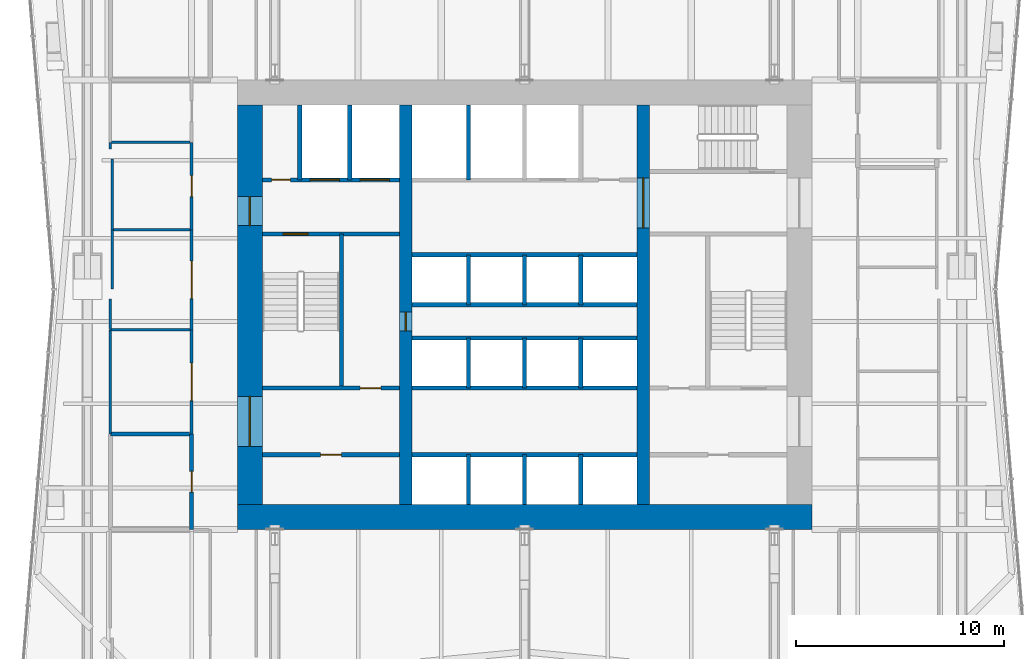
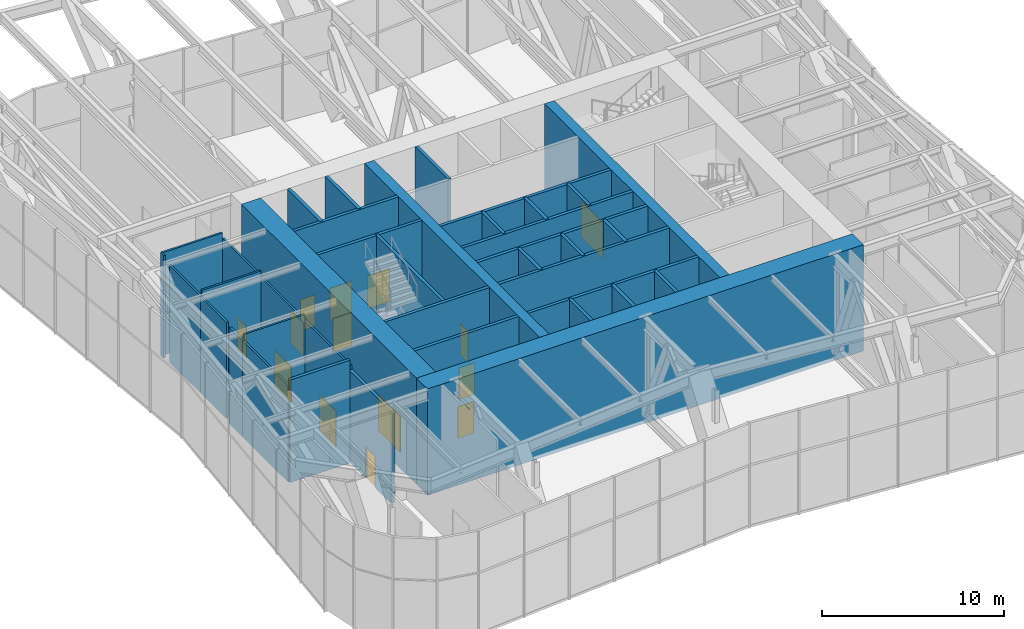
# One storey, part 12 of 17: 39 walls, 14 doors, 14 openings.
"""IFC4 building model written with IfcOpenShell, lengths in metres."""

from ifc_helpers import new_model, si_unit, direction, frame, frame_2d, origin, place, context, subcontext, project, spatial, rectangle, extrude, material, layer, layer_set, type_object, element, fill, save


model = new_model("IFC4")

# Units and contexts
model_context = context("Model", 3, precision=1e-05, world=origin(), true_north=direction((0.0, 1.0)))
body_context = subcontext(model_context, "Body", "Model", "MODEL_VIEW")
ifc_project = project(units=[si_unit("LENGTHUNIT", "METRE"), si_unit("AREAUNIT", "SQUARE_METRE"), si_unit("VOLUMEUNIT", "CUBIC_METRE"), si_unit("PLANEANGLEUNIT", "RADIAN"), si_unit("MASSUNIT", "GRAM", prefix="KILO")], contexts=[model_context])

# Site, building, storey
site_placement = place(None, origin())
site = spatial("IfcSite", under=ifc_project, at=site_placement, CompositionType="ELEMENT")
building_placement = place(site_placement, origin())
building = spatial("IfcBuilding", under=site, at=building_placement, Name="Verdant Reach Tower", CompositionType="ELEMENT")
storey_placement = place(building_placement, frame((0.0, 0.0, 114.0)))
storey = spatial("IfcBuildingStorey", under=building, at=storey_placement, Name="L26 Plant", CompositionType="ELEMENT", Elevation=114.0)

# Wall, opening, door
ifc_material_1 = material(Name="Gypsum board on steel studs", Category="steel")
ifc_layer_1 = layer(ifc_material_1, 0.199951171875)
ifc_layer_set_1 = layer_set([ifc_layer_1], Name="CO-WALL-ROOM")
wall_type_1 = type_object("IfcWallType", Name="CO-WALL-ROOM", PredefinedType="PARTITIONING", material=ifc_layer_set_1)
wall_1_placement = place(storey_placement, frame((-12.60009765625, 20.800048828125, 0.0), z_axis=(0.0, 0.0, 1.0), x_axis=(1.0, 0.0, 0.0)))
wall_1 = element("IfcWall", 1, at=wall_1_placement, inside=storey, type_object=wall_type_1, Name="Core partition, L26 Plant", PredefinedType="PARTITIONING", context=body_context, shape_type="SweptSolid", body=[
    extrude(rectangle(XDim=6.60009765625, YDim=0.199951171875, at=frame_2d((3.300048828125, 0.0))), origin(), (0.0, 0.0, 1.0), 6.8701171875),
])
opening_1_placement = place(wall_1_placement, frame((2.800048828125, 0.0, 0.0)))
opening_1 = element("IfcOpeningElement", 2, at=opening_1_placement, cuts=wall_1, Name="Opening CD", PredefinedType="OPENING", context=body_context, shape_type="SweptSolid", body=[
    extrude(rectangle(XDim=1.0, YDim=2.10009765625, at=frame_2d((0.5, 1.050048828125))), frame((0.0, 0.10986328125, 0.0), z_axis=(0.0, -1.0, 0.0), x_axis=(1.0, 0.0, 0.0)), (0.0, 0.0, 1.0), 0.219970703125),
])
ifc_material_2 = material(Name="Timber", Category="wood")
door_type_1 = type_object("IfcDoorType", Name="CO-DOOR-ROOM", OperationType="NOTDEFINED", PredefinedType="DOOR", material=ifc_material_2)
door_1_placement = place(opening_1_placement, origin())
door_1 = element("IfcDoor", 3, at=door_1_placement, inside=storey, type_object=door_type_1, Name="Core room door, L26 Plant", OperationType="SINGLE_SWING_LEFT", OverallHeight=2.10009765625, OverallWidth=1.0, PredefinedType="DOOR", context=body_context, shape_type="SweptSolid", body=[
    extrude(rectangle(XDim=1.0, YDim=2.10009765625, at=frame_2d((0.5, 1.050048828125))), frame((0.0, 0.02490234375, 0.0), z_axis=(0.0, -1.0, 0.0), x_axis=(1.0, 0.0, 0.0)), (0.0, 0.0, 1.0), 0.050048828125),
])
fill(opening_1, door_1)

# Walls
ifc_material_3 = material(Name="Concrete C40/50", Category="concrete")
ifc_layer_2 = layer(ifc_material_3, 0.199951171875)
ifc_layer_set_2 = layer_set([ifc_layer_2], Name="CO-WALL-SHAFT")
wall_type_2 = type_object("IfcWallType", Name="CO-WALL-SHAFT", PredefinedType="PARTITIONING", material=ifc_layer_set_2)
for number, where, z_axis, x_axis, name in (
    (4, (-5.39990234375, 20.800048828125, 0.0), (0.0, 0.0, 1.0), (1.0, 0.0, 0.0), "Lift shaft wall, L26 Plant"),
    (5, (-5.39990234375, 24.0, 0.0), (0.0, 0.0, 1.0), (1.0, 0.0, 0.0), "Lift shaft wall, L26 Plant"),
    (6, (-5.39990234375, 26.39990234375, 0.0), (0.0, 0.0, 1.0), (1.0, 0.0, 0.0), "Lift shaft wall, L26 Plant"),
    (7, (-5.39990234375, 28.0, 0.0), (0.0, 0.0, 1.0), (1.0, 0.0, 0.0), "Lift shaft wall, L26 Plant"),
    (8, (-5.39990234375, 30.39990234375, 0.0), (0.0, 0.0, 1.0), (1.0, 0.0, 0.0), "Lift shaft wall, L26 Plant"),
):
    element("IfcWall", number, at=place(storey_placement, frame(where, z_axis=z_axis, x_axis=x_axis)), inside=storey, type_object=wall_type_2, Name=name, PredefinedType="PARTITIONING", context=body_context, shape_type="SweptSolid", body=[
        extrude(rectangle(XDim=10.7998046875, YDim=0.199951171875, at=frame_2d((5.39990234375, 0.0))), origin(), (0.0, 0.0, 1.0), 6.8701171875),
    ])

# Wall, openings, doors
wall_2_placement = place(storey_placement, frame((-12.60009765625, 34.0, 0.0), z_axis=(0.0, 0.0, 1.0), x_axis=(1.0, 0.0, 0.0)))
wall_2 = element("IfcWall", 9, at=wall_2_placement, inside=storey, type_object=wall_type_2, Name="Lift shaft wall, L26 Plant", PredefinedType="PARTITIONING", context=body_context, shape_type="SweptSolid", body=[
    extrude(rectangle(XDim=6.60009765625, YDim=0.199951171875, at=frame_2d((3.300048828125, 0.0))), origin(), (0.0, 0.0, 1.0), 6.8701171875),
])
opening_2_placement = place(wall_2_placement, frame((4.699951171875, 0.0, 0.0)))
opening_2 = element("IfcOpeningElement", 10, at=opening_2_placement, cuts=wall_2, Name="Opening LD-F1", PredefinedType="OPENING", context=body_context, shape_type="SweptSolid", body=[
    extrude(rectangle(XDim=1.39990234375, YDim=2.199951171875, at=frame_2d((0.699951171875, 1.10009765625))), frame((0.0, 0.10986328125, 0.0), z_axis=(0.0, -1.0, 0.0), x_axis=(1.0, 0.0, 0.0)), (0.0, 0.0, 1.0), 0.219970703125),
])
opening_3_placement = place(wall_2_placement, frame((2.300048828125, 0.0, 0.0)))
opening_3 = element("IfcOpeningElement", 11, at=opening_3_placement, cuts=wall_2, Name="Opening LD-F2", PredefinedType="OPENING", context=body_context, shape_type="SweptSolid", body=[
    extrude(rectangle(XDim=1.39990234375, YDim=2.199951171875, at=frame_2d((0.699951171875, 1.10009765625))), frame((0.0, 0.10986328125, 0.0), z_axis=(0.0, -1.0, 0.0), x_axis=(1.0, 0.0, 0.0)), (0.0, 0.0, 1.0), 0.219970703125),
])
opening_4_placement = place(wall_2_placement, frame((0.449951171875, 0.0, 0.0)))
opening_4 = element("IfcOpeningElement", 12, at=opening_4_placement, cuts=wall_2, Name="Opening RD", PredefinedType="OPENING", context=body_context, shape_type="SweptSolid", body=[
    extrude(rectangle(XDim=0.89990234375, YDim=2.10009765625, at=frame_2d((0.449951171875, 1.050048828125))), frame((0.0, 0.10986328125, 0.0), z_axis=(0.0, -1.0, 0.0), x_axis=(1.0, 0.0, 0.0)), (0.0, 0.0, 1.0), 0.219970703125),
])
ifc_material_4 = material(Name="Stainless steel", Category="steel")
door_type_2 = type_object("IfcDoorType", Name="CO-DOOR-LANDING-FF", OperationType="SLIDING_TO_LEFT", PredefinedType="DOOR", material=ifc_material_4)
door_2_placement = place(opening_2_placement, origin())
door_2 = element("IfcDoor", 13, at=door_2_placement, inside=storey, type_object=door_type_2, Name="Landing door F1, L26 Plant", OperationType="SLIDING_TO_LEFT", OverallHeight=2.199951171875, OverallWidth=1.39990234375, PredefinedType="DOOR", context=body_context, shape_type="SweptSolid", body=[
    extrude(rectangle(XDim=1.39990234375, YDim=2.199951171875, at=frame_2d((0.699951171875, 1.10009765625))), frame((0.0, 0.02490234375, 0.0), z_axis=(0.0, -1.0, 0.0), x_axis=(1.0, 0.0, 0.0)), (0.0, 0.0, 1.0), 0.050048828125),
])
fill(opening_2, door_2)
door_3_placement = place(opening_3_placement, origin())
door_3 = element("IfcDoor", 14, at=door_3_placement, inside=storey, type_object=door_type_2, Name="Landing door F2, L26 Plant", OperationType="SLIDING_TO_LEFT", OverallHeight=2.199951171875, OverallWidth=1.39990234375, PredefinedType="DOOR", context=body_context, shape_type="SweptSolid", body=[
    extrude(rectangle(XDim=1.39990234375, YDim=2.199951171875, at=frame_2d((0.699951171875, 1.10009765625))), frame((0.0, 0.02490234375, 0.0), z_axis=(0.0, -1.0, 0.0), x_axis=(1.0, 0.0, 0.0)), (0.0, 0.0, 1.0), 0.050048828125),
])
fill(opening_3, door_3)
ifc_material_5 = material(Name="Steel", Category="steel")
door_type_3 = type_object("IfcDoorType", Name="CO-DOOR-RISER", OperationType="NOTDEFINED", PredefinedType="DOOR", material=ifc_material_5)
door_4_placement = place(opening_4_placement, origin())
door_4 = element("IfcDoor", 15, at=door_4_placement, inside=storey, type_object=door_type_3, Name="Core room door, L26 Plant", OperationType="SINGLE_SWING_RIGHT", OverallHeight=2.10009765625, OverallWidth=0.89990234375, PredefinedType="DOOR", context=body_context, shape_type="SweptSolid", body=[
    extrude(rectangle(XDim=0.89990234375, YDim=2.10009765625, at=frame_2d((0.449951171875, 1.050048828125))), frame((0.0, 0.02490234375, 0.0), z_axis=(0.0, -1.0, 0.0), x_axis=(1.0, 0.0, 0.0)), (0.0, 0.0, 1.0), 0.050048828125),
])
fill(opening_4, door_4)

# Walls
for number, where, z_axis, x_axis, name in (
    (16, (-10.800048828125, 34.0, 0.0), (0.0, 0.0, 1.0), (0.0, 1.0, 0.0), "Lift shaft wall, L26 Plant"),
    (17, (-8.39990234375, 34.0, 0.0), (0.0, 0.0, 1.0), (0.0, 1.0, 0.0), "Lift shaft wall, L26 Plant"),
):
    element("IfcWall", number, at=place(storey_placement, frame(where, z_axis=z_axis, x_axis=x_axis)), inside=storey, type_object=wall_type_2, Name=name, PredefinedType="PARTITIONING", context=body_context, shape_type="SweptSolid", body=[
        extrude(rectangle(XDim=3.60009765625, YDim=0.199951171875, at=frame_2d((1.800048828125, 0.0))), origin(), (0.0, 0.0, 1.0), 6.8701171875),
    ])
wall_3_placement = place(storey_placement, frame((-2.699951171875, 18.39990234375, 0.0), z_axis=(0.0, 0.0, 1.0), x_axis=(0.0, 1.0, 0.0)))
element("IfcWall", 18, at=wall_3_placement, inside=storey, type_object=wall_type_2, Name="Lift shaft wall, L26 Plant", PredefinedType="PARTITIONING", context=body_context, shape_type="SweptSolid", body=[
    extrude(rectangle(XDim=2.400146484375, YDim=0.199951171875, at=frame_2d((1.2001953125, 0.0))), origin(), (0.0, 0.0, 1.0), 6.8701171875),
])
for number, where, z_axis, x_axis, name in (
    (19, (-2.699951171875, 24.0, 0.0), (0.0, 0.0, 1.0), (0.0, 1.0, 0.0), "Lift shaft wall, L26 Plant"),
    (20, (-2.699951171875, 28.0, 0.0), (0.0, 0.0, 1.0), (0.0, 1.0, 0.0), "Lift shaft wall, L26 Plant"),
):
    element("IfcWall", number, at=place(storey_placement, frame(where, z_axis=z_axis, x_axis=x_axis)), inside=storey, type_object=wall_type_2, Name=name, PredefinedType="PARTITIONING", context=body_context, shape_type="SweptSolid", body=[
        extrude(rectangle(XDim=2.39990234375, YDim=0.199951171875, at=frame_2d((1.199951171875, 0.0))), origin(), (0.0, 0.0, 1.0), 6.8701171875),
    ])
wall_4_placement = place(storey_placement, frame((-2.699951171875, 34.0, 0.0), z_axis=(0.0, 0.0, 1.0), x_axis=(0.0, 1.0, 0.0)))
element("IfcWall", 21, at=wall_4_placement, inside=storey, type_object=wall_type_2, Name="Lift shaft wall, L26 Plant", PredefinedType="PARTITIONING", context=body_context, shape_type="SweptSolid", body=[
    extrude(rectangle(XDim=3.60009765625, YDim=0.199951171875, at=frame_2d((1.800048828125, 0.0))), origin(), (0.0, 0.0, 1.0), 6.8701171875),
])
wall_5_placement = place(storey_placement, frame((0.0, 18.39990234375, 0.0), z_axis=(0.0, 0.0, 1.0), x_axis=(0.0, 1.0, 0.0)))
element("IfcWall", 22, at=wall_5_placement, inside=storey, type_object=wall_type_2, Name="Lift shaft wall, L26 Plant", PredefinedType="PARTITIONING", context=body_context, shape_type="SweptSolid", body=[
    extrude(rectangle(XDim=2.400146484375, YDim=0.199951171875, at=frame_2d((1.2001953125, 0.0))), origin(), (0.0, 0.0, 1.0), 6.8701171875),
])
for number, where, z_axis, x_axis, name in (
    (23, (0.0, 24.0, 0.0), (0.0, 0.0, 1.0), (0.0, 1.0, 0.0), "Lift shaft wall, L26 Plant"),
    (24, (0.0, 28.0, 0.0), (0.0, 0.0, 1.0), (0.0, 1.0, 0.0), "Lift shaft wall, L26 Plant"),
):
    element("IfcWall", number, at=place(storey_placement, frame(where, z_axis=z_axis, x_axis=x_axis)), inside=storey, type_object=wall_type_2, Name=name, PredefinedType="PARTITIONING", context=body_context, shape_type="SweptSolid", body=[
        extrude(rectangle(XDim=2.39990234375, YDim=0.199951171875, at=frame_2d((1.199951171875, 0.0))), origin(), (0.0, 0.0, 1.0), 6.8701171875),
    ])
wall_6_placement = place(storey_placement, frame((2.699951171875, 18.39990234375, 0.0), z_axis=(0.0, 0.0, 1.0), x_axis=(0.0, 1.0, 0.0)))
element("IfcWall", 25, at=wall_6_placement, inside=storey, type_object=wall_type_2, Name="Lift shaft wall, L26 Plant", PredefinedType="PARTITIONING", context=body_context, shape_type="SweptSolid", body=[
    extrude(rectangle(XDim=2.400146484375, YDim=0.199951171875, at=frame_2d((1.2001953125, 0.0))), origin(), (0.0, 0.0, 1.0), 6.8701171875),
])
for number, where, z_axis, x_axis, name in (
    (26, (2.699951171875, 24.0, 0.0), (0.0, 0.0, 1.0), (0.0, 1.0, 0.0), "Lift shaft wall, L26 Plant"),
    (27, (2.699951171875, 28.0, 0.0), (0.0, 0.0, 1.0), (0.0, 1.0, 0.0), "Lift shaft wall, L26 Plant"),
):
    element("IfcWall", number, at=place(storey_placement, frame(where, z_axis=z_axis, x_axis=x_axis)), inside=storey, type_object=wall_type_2, Name=name, PredefinedType="PARTITIONING", context=body_context, shape_type="SweptSolid", body=[
        extrude(rectangle(XDim=2.39990234375, YDim=0.199951171875, at=frame_2d((1.199951171875, 0.0))), origin(), (0.0, 0.0, 1.0), 6.8701171875),
    ])

# Wall, opening, door
ifc_layer_3 = layer(ifc_material_3, 0.199951171875)
ifc_layer_set_3 = layer_set([ifc_layer_3], Name="CO-WALL-STAIR")
wall_type_3 = type_object("IfcWallType", Name="CO-WALL-STAIR", PredefinedType="PARTITIONING", material=ifc_layer_set_3)
wall_7_placement = place(storey_placement, frame((-12.60009765625, 24.0, 0.0), z_axis=(0.0, 0.0, 1.0), x_axis=(1.0, 0.0, 0.0)))
wall_7 = element("IfcWall", 28, at=wall_7_placement, inside=storey, type_object=wall_type_3, Name="Stair enclosure wall, L26 Plant", PredefinedType="PARTITIONING", context=body_context, shape_type="SweptSolid", body=[
    extrude(rectangle(XDim=6.60009765625, YDim=0.199951171875, at=frame_2d((3.300048828125, 0.0))), origin(), (0.0, 0.0, 1.0), 6.8701171875),
])
opening_5_placement = place(wall_7_placement, frame((4.699951171875, 0.0, 0.0)))
opening_5 = element("IfcOpeningElement", 29, at=opening_5_placement, cuts=wall_7, Name="Opening CD", PredefinedType="OPENING", context=body_context, shape_type="SweptSolid", body=[
    extrude(rectangle(XDim=1.0, YDim=2.10009765625, at=frame_2d((0.5, 1.050048828125))), frame((0.0, 0.10986328125, 0.0), z_axis=(0.0, -1.0, 0.0), x_axis=(1.0, 0.0, 0.0)), (0.0, 0.0, 1.0), 0.219970703125),
])
door_5_placement = place(opening_5_placement, origin())
door_5 = element("IfcDoor", 30, at=door_5_placement, inside=storey, type_object=door_type_1, Name="Core room door, L26 Plant", OperationType="SINGLE_SWING_RIGHT", OverallHeight=2.10009765625, OverallWidth=1.0, PredefinedType="DOOR", context=body_context, shape_type="SweptSolid", body=[
    extrude(rectangle(XDim=1.0, YDim=2.10009765625, at=frame_2d((0.5, 1.050048828125))), frame((0.0, 0.02490234375, 0.0), z_axis=(0.0, -1.0, 0.0), x_axis=(1.0, 0.0, 0.0)), (0.0, 0.0, 1.0), 0.050048828125),
])
fill(opening_5, door_5)

wall_8_placement = place(storey_placement, frame((-12.60009765625, 31.39990234375, 0.0), z_axis=(0.0, 0.0, 1.0), x_axis=(1.0, 0.0, 0.0)))
wall_8 = element("IfcWall", 31, at=wall_8_placement, inside=storey, type_object=wall_type_3, Name="Stair enclosure wall, L26 Plant", PredefinedType="PARTITIONING", context=body_context, shape_type="SweptSolid", body=[
    extrude(rectangle(XDim=6.60009765625, YDim=0.199951171875, at=frame_2d((3.300048828125, 0.0))), origin(), (0.0, 0.0, 1.0), 6.8701171875),
])
opening_6_placement = place(wall_8_placement, frame((1.0, 0.0, 0.0)))
opening_6 = element("IfcOpeningElement", 32, at=opening_6_placement, cuts=wall_8, Name="Opening SD", PredefinedType="OPENING", context=body_context, shape_type="SweptSolid", body=[
    extrude(rectangle(XDim=1.199951171875, YDim=2.199951171875, at=frame_2d((0.60009765625, 1.10009765625))), frame((0.0, 0.10986328125, 0.0), z_axis=(0.0, -1.0, 0.0), x_axis=(1.0, 0.0, 0.0)), (0.0, 0.0, 1.0), 0.219970703125),
])
door_type_4 = type_object("IfcDoorType", Name="CO-DOOR-STAIR", OperationType="NOTDEFINED", PredefinedType="DOOR", material=ifc_material_5)
door_6_placement = place(opening_6_placement, origin())
door_6 = element("IfcDoor", 33, at=door_6_placement, inside=storey, type_object=door_type_4, Name="Stair door, L26 Plant", OperationType="SINGLE_SWING_RIGHT", OverallHeight=2.199951171875, OverallWidth=1.199951171875, PredefinedType="DOOR", context=body_context, shape_type="SweptSolid", body=[
    extrude(rectangle(XDim=1.199951171875, YDim=2.199951171875, at=frame_2d((0.60009765625, 1.10009765625))), frame((0.0, 0.02490234375, 0.0), z_axis=(0.0, -1.0, 0.0), x_axis=(1.0, 0.0, 0.0)), (0.0, 0.0, 1.0), 0.050048828125),
])
fill(opening_6, door_6)

# Walls
wall_9_placement = place(storey_placement, frame((-8.800048828125, 24.0, 0.0), z_axis=(0.0, 0.0, 1.0), x_axis=(0.0, 1.0, 0.0)))
element("IfcWall", 34, at=wall_9_placement, inside=storey, type_object=wall_type_3, Name="Stair enclosure wall, L26 Plant", PredefinedType="PARTITIONING", context=body_context, shape_type="SweptSolid", body=[
    extrude(rectangle(XDim=7.39990234375, YDim=0.199951171875, at=frame_2d((3.699951171875, 0.0))), origin(), (0.0, 0.0, 1.0), 6.8701171875),
])
ifc_material_6 = material(Name="Concrete C70/85", Category="concrete")
ifc_layer_4 = layer(ifc_material_6, 1.199951171875)
ifc_layer_set_4 = layer_set([ifc_layer_4], Name="ST-CORE-WALL-1200")
wall_type_4 = type_object("IfcWallType", Name="ST-CORE-WALL-1200", PredefinedType="SHEAR", material=ifc_layer_set_4)
wall_10_placement = place(storey_placement, frame((-13.800048828125, 17.800048828125, -0.25), z_axis=(0.0, 0.0, 1.0), x_axis=(1.0, 0.0, 0.0)))
element("IfcWall", 35, at=wall_10_placement, inside=storey, type_object=wall_type_4, Name="Core wall S, L26 Plant", PredefinedType="SHEAR", context=body_context, shape_type="SweptSolid", body=[
    extrude(rectangle(XDim=27.60009765625, YDim=1.199951171875, at=frame_2d((13.800048828125, 0.0))), origin(), (0.0, 0.0, 1.0), 7.1201171875),
])

# Wall, openings, doors
wall_11_placement = place(storey_placement, frame((-13.199951171875, 18.39990234375, -0.25), z_axis=(0.0, 0.0, 1.0), x_axis=(0.0, 1.0, 0.0)))
wall_11 = element("IfcWall", 36, at=wall_11_placement, inside=storey, type_object=wall_type_4, Name="Core wall W, L26 Plant", PredefinedType="SHEAR", context=body_context, shape_type="SweptSolid", body=[
    extrude(rectangle(XDim=19.2001953125, YDim=1.199951171875, at=frame_2d((9.60009765625, 0.0))), origin(), (0.0, 0.0, 1.0), 7.1201171875),
])
opening_7_placement = place(wall_11_placement, frame((2.800048828125, 0.0, 0.25)))
opening_7 = element("IfcOpeningElement", 37, at=opening_7_placement, cuts=wall_11, Name="Opening LB", PredefinedType="OPENING", context=body_context, shape_type="SweptSolid", body=[
    extrude(rectangle(XDim=2.39990234375, YDim=2.39990234375, at=frame_2d((1.199951171875, 1.199951171875))), frame((0.0, 0.60986328125, 0.0), z_axis=(0.0, -1.0, 0.0), x_axis=(1.0, 0.0, 0.0)), (0.0, 0.0, 1.0), 1.219970703125),
])
opening_8_placement = place(wall_11_placement, frame((13.39990234375, 0.0, 0.25)))
opening_8 = element("IfcOpeningElement", 38, at=opening_8_placement, cuts=wall_11, Name="Opening FL", PredefinedType="OPENING", context=body_context, shape_type="SweptSolid", body=[
    extrude(rectangle(XDim=1.39990234375, YDim=2.199951171875, at=frame_2d((0.699951171875, 1.10009765625))), frame((0.0, 0.60986328125, 0.0), z_axis=(0.0, -1.0, 0.0), x_axis=(1.0, 0.0, 0.0)), (0.0, 0.0, 1.0), 1.219970703125),
])
door_type_5 = type_object("IfcDoorType", Name="CO-DOOR-FFL", OperationType="NOTDEFINED", PredefinedType="DOOR", material=ifc_material_5)
door_7_placement = place(opening_8_placement, origin())
door_7 = element("IfcDoor", 39, at=door_7_placement, inside=storey, type_object=door_type_5, Name="Core entrance door, L26 Plant", OperationType="SINGLE_SWING_RIGHT", OverallHeight=2.199951171875, OverallWidth=1.39990234375, PredefinedType="DOOR", context=body_context, shape_type="SweptSolid", body=[
    extrude(rectangle(XDim=1.39990234375, YDim=2.199951171875, at=frame_2d((0.699951171875, 1.10009765625))), frame((0.0, 0.02490234375, 0.0), z_axis=(0.0, -1.0, 0.0), x_axis=(1.0, 0.0, 0.0)), (0.0, 0.0, 1.0), 0.050048828125),
])
fill(opening_8, door_7)
ifc_material_7 = material(Name="Glass and steel", Category="steel")
door_type_6 = type_object("IfcDoorType", Name="CO-DOOR-LOBBY", OperationType="DOUBLE_DOOR_SINGLE_SWING", PredefinedType="DOOR", material=ifc_material_7)
door_8_placement = place(opening_7_placement, origin())
door_8 = element("IfcDoor", 40, at=door_8_placement, inside=storey, type_object=door_type_6, Name="Core entrance door, L26 Plant", OperationType="DOUBLE_DOOR_SINGLE_SWING", OverallHeight=2.39990234375, OverallWidth=2.39990234375, PredefinedType="DOOR", context=body_context, shape_type="SweptSolid", body=[
    extrude(rectangle(XDim=2.39990234375, YDim=2.39990234375, at=frame_2d((1.199951171875, 1.199951171875))), frame((0.0, 0.02490234375, 0.0), z_axis=(0.0, -1.0, 0.0), x_axis=(1.0, 0.0, 0.0)), (0.0, 0.0, 1.0), 0.050048828125),
])
fill(opening_7, door_8)

# Wall, opening, door
ifc_layer_5 = layer(ifc_material_6, 0.60009765625)
ifc_layer_set_5 = layer_set([ifc_layer_5], Name="ST-CORE-WALL-600")
wall_type_5 = type_object("IfcWallType", Name="ST-CORE-WALL-600", PredefinedType="SHEAR", material=ifc_layer_set_5)
wall_12_placement = place(storey_placement, frame((-5.699951171875, 18.39990234375, -0.25), z_axis=(0.0, 0.0, 1.0), x_axis=(0.0, 1.0, 0.0)))
wall_12 = element("IfcWall", 41, at=wall_12_placement, inside=storey, type_object=wall_type_5, Name="Core wall XW, L26 Plant", PredefinedType="SHEAR", context=body_context, shape_type="SweptSolid", body=[
    extrude(rectangle(XDim=19.2001953125, YDim=0.60009765625, at=frame_2d((9.60009765625, 0.0))), origin(), (0.0, 0.0, 1.0), 7.1201171875),
])
opening_9_placement = place(wall_12_placement, frame((8.35009765625, 0.0, 0.25)))
opening_9 = element("IfcOpeningElement", 42, at=opening_9_placement, cuts=wall_12, Name="Opening RD", PredefinedType="OPENING", context=body_context, shape_type="SweptSolid", body=[
    extrude(rectangle(XDim=0.89990234375, YDim=2.10009765625, at=frame_2d((0.449951171875, 1.050048828125))), frame((0.0, 0.31005859375, 0.0), z_axis=(0.0, -1.0, 0.0), x_axis=(1.0, 0.0, 0.0)), (0.0, 0.0, 1.0), 0.6201171875),
])
door_9_placement = place(opening_9_placement, origin())
door_9 = element("IfcDoor", 43, at=door_9_placement, inside=storey, type_object=door_type_3, Name="Riser door, L26 Plant", OperationType="SINGLE_SWING_RIGHT", OverallHeight=2.10009765625, OverallWidth=0.89990234375, PredefinedType="DOOR", context=body_context, shape_type="SweptSolid", body=[
    extrude(rectangle(XDim=0.89990234375, YDim=2.10009765625, at=frame_2d((0.449951171875, 1.050048828125))), frame((0.0, 0.02490234375, 0.0), z_axis=(0.0, -1.0, 0.0), x_axis=(1.0, 0.0, 0.0)), (0.0, 0.0, 1.0), 0.050048828125),
])
fill(opening_9, door_9)

wall_13_placement = place(storey_placement, frame((5.699951171875, 18.39990234375, -0.25), z_axis=(0.0, 0.0, 1.0), x_axis=(0.0, 1.0, 0.0)))
wall_13 = element("IfcWall", 44, at=wall_13_placement, inside=storey, type_object=wall_type_5, Name="Core wall XE, L26 Plant", PredefinedType="SHEAR", context=body_context, shape_type="SweptSolid", body=[
    extrude(rectangle(XDim=19.2001953125, YDim=0.60009765625, at=frame_2d((9.60009765625, 0.0))), origin(), (0.0, 0.0, 1.0), 7.1201171875),
])
opening_10_placement = place(wall_13_placement, frame((13.300048828125, 0.0, 0.25)))
opening_10 = element("IfcOpeningElement", 45, at=opening_10_placement, cuts=wall_13, Name="Opening LB", PredefinedType="OPENING", context=body_context, shape_type="SweptSolid", body=[
    extrude(rectangle(XDim=2.39990234375, YDim=2.39990234375, at=frame_2d((1.199951171875, 1.199951171875))), frame((0.0, 0.31005859375, 0.0), z_axis=(0.0, -1.0, 0.0), x_axis=(1.0, 0.0, 0.0)), (0.0, 0.0, 1.0), 0.6201171875),
])
door_10_placement = place(opening_10_placement, origin())
door_10 = element("IfcDoor", 46, at=door_10_placement, inside=storey, type_object=door_type_6, Name="Core entrance door, L26 Plant", OperationType="DOUBLE_DOOR_SINGLE_SWING", OverallHeight=2.39990234375, OverallWidth=2.39990234375, PredefinedType="DOOR", context=body_context, shape_type="SweptSolid", body=[
    extrude(rectangle(XDim=2.39990234375, YDim=2.39990234375, at=frame_2d((1.199951171875, 1.199951171875))), frame((0.0, 0.02490234375, 0.0), z_axis=(0.0, -1.0, 0.0), x_axis=(1.0, 0.0, 0.0)), (0.0, 0.0, 1.0), 0.050048828125),
])
fill(opening_10, door_10)

ifc_material_8 = material(Name="Gypsum board on steel studs, fire rated", Category="steel")
ifc_layer_6 = layer(ifc_material_8, 0.125)
ifc_layer_set_6 = layer_set([ifc_layer_6], Name="SV-W2 Plant wall 125 EI 60")
wall_type_6 = type_object("IfcWallType", Name="SV-W2 Plant wall 125 EI 60", PredefinedType="PARTITIONING", material=ifc_layer_set_6)
wall_14_placement = place(storey_placement, frame((-16.0, 26.800048828125, 0.0), z_axis=(0.0, 0.0, 1.0), x_axis=(0.0, -1.0, 0.0)))
wall_14 = element("IfcWall", 47, at=wall_14_placement, inside=storey, type_object=wall_type_6, Name="Partition L26.17", PredefinedType="PARTITIONING", context=body_context, shape_type="SweptSolid", body=[
    extrude(rectangle(XDim=5.0, YDim=0.125, at=frame_2d((2.5, 0.0))), origin(), (0.0, 0.0, 1.0), 6.43994140625),
])
opening_11_placement = place(wall_14_placement, frame((1.60009765625, 0.0, 0.0)))
opening_11 = element("IfcOpeningElement", 48, at=opening_11_placement, cuts=wall_14, Name="Opening SD3", PredefinedType="OPENING", context=body_context, shape_type="SweptSolid", body=[
    extrude(rectangle(XDim=1.800048828125, YDim=2.39990234375, at=frame_2d((0.89990234375, 1.199951171875))), frame((0.0, 0.072509765625, 0.0), z_axis=(0.0, -1.0, 0.0), x_axis=(1.0, 0.0, 0.0)), (0.0, 0.0, 1.0), 0.14501953125),
])
ifc_material_9 = material(Name="Steel door leaves, fire rated", Category="steel")
door_type_7 = type_object("IfcDoorType", Name="SV-D3 Equipment door 1800x2400 FD60", OperationType="DOUBLE_DOOR_SINGLE_SWING", PredefinedType="DOOR", material=ifc_material_9)
door_11_placement = place(opening_11_placement, origin())
door_11 = element("IfcDoor", 49, at=door_11_placement, inside=storey, type_object=door_type_7, Name="Door L26-009", OperationType="DOUBLE_DOOR_SINGLE_SWING", OverallHeight=2.39990234375, OverallWidth=1.800048828125, PredefinedType="DOOR", context=body_context, shape_type="SweptSolid", body=[
    extrude(rectangle(XDim=1.800048828125, YDim=2.39990234375, at=frame_2d((0.89990234375, 1.199951171875))), frame((0.0, 0.02490234375, 0.0), z_axis=(0.0, -1.0, 0.0), x_axis=(1.0, 0.0, 0.0)), (0.0, 0.0, 1.0), 0.050048828125),
])
fill(opening_11, door_11)

wall_15_placement = place(storey_placement, frame((-16.0, 31.60009765625, 0.0), z_axis=(0.0, 0.0, 1.0), x_axis=(0.0, -1.0, 0.0)))
wall_15 = element("IfcWall", 50, at=wall_15_placement, inside=storey, type_object=wall_type_6, Name="Partition L26.18", PredefinedType="PARTITIONING", context=body_context, shape_type="SweptSolid", body=[
    extrude(rectangle(XDim=4.800048828125, YDim=0.125, at=frame_2d((2.39990234375, 0.0))), origin(), (0.0, 0.0, 1.0), 6.43994140625),
])
opening_12_placement = place(wall_15_placement, frame((1.5, 0.0, 0.0)))
opening_12 = element("IfcOpeningElement", 51, at=opening_12_placement, cuts=wall_15, Name="Opening SD3", PredefinedType="OPENING", context=body_context, shape_type="SweptSolid", body=[
    extrude(rectangle(XDim=1.800048828125, YDim=2.39990234375, at=frame_2d((0.89990234375, 1.199951171875))), frame((0.0, 0.072509765625, 0.0), z_axis=(0.0, -1.0, 0.0), x_axis=(1.0, 0.0, 0.0)), (0.0, 0.0, 1.0), 0.14501953125),
])
door_12_placement = place(opening_12_placement, origin())
door_12 = element("IfcDoor", 52, at=door_12_placement, inside=storey, type_object=door_type_7, Name="Door L26-010", OperationType="DOUBLE_DOOR_SINGLE_SWING", OverallHeight=2.39990234375, OverallWidth=1.800048828125, PredefinedType="DOOR", context=body_context, shape_type="SweptSolid", body=[
    extrude(rectangle(XDim=1.800048828125, YDim=2.39990234375, at=frame_2d((0.89990234375, 1.199951171875))), frame((0.0, 0.02490234375, 0.0), z_axis=(0.0, -1.0, 0.0), x_axis=(1.0, 0.0, 0.0)), (0.0, 0.0, 1.0), 0.050048828125),
])
fill(opening_12, door_12)

wall_16_placement = place(storey_placement, frame((-16.0, 35.800048828125, 0.0), z_axis=(0.0, 0.0, 1.0), x_axis=(0.0, -1.0, 0.0)))
wall_16 = element("IfcWall", 53, at=wall_16_placement, inside=storey, type_object=wall_type_6, Name="Partition L26.19", PredefinedType="PARTITIONING", context=body_context, shape_type="SweptSolid", body=[
    extrude(rectangle(XDim=4.199951171875, YDim=0.125, at=frame_2d((2.10009765625, 0.0))), origin(), (0.0, 0.0, 1.0), 6.47998046875),
])
opening_13_placement = place(wall_16_placement, frame((1.60009765625, 0.0, 0.0)))
opening_13 = element("IfcOpeningElement", 54, at=opening_13_placement, cuts=wall_16, Name="Opening SD2", PredefinedType="OPENING", context=body_context, shape_type="SweptSolid", body=[
    extrude(rectangle(XDim=1.0, YDim=2.10009765625, at=frame_2d((0.5, 1.050048828125))), frame((0.0, 0.072509765625, 0.0), z_axis=(0.0, -1.0, 0.0), x_axis=(1.0, 0.0, 0.0)), (0.0, 0.0, 1.0), 0.14501953125),
])
ifc_material_10 = material(Name="Steel door leaf, fire rated", Category="steel")
door_type_8 = type_object("IfcDoorType", Name="SV-D2 Door 1000x2100 FD60", OperationType="NOTDEFINED", PredefinedType="DOOR", material=ifc_material_10)
door_13_placement = place(opening_13_placement, origin())
door_13 = element("IfcDoor", 55, at=door_13_placement, inside=storey, type_object=door_type_8, Name="Door L26-011", OperationType="SINGLE_SWING_LEFT", OverallHeight=2.10009765625, OverallWidth=1.0, PredefinedType="DOOR", context=body_context, shape_type="SweptSolid", body=[
    extrude(rectangle(XDim=1.0, YDim=2.10009765625, at=frame_2d((0.5, 1.050048828125))), frame((0.0, 0.02490234375, 0.0), z_axis=(0.0, -1.0, 0.0), x_axis=(1.0, 0.0, 0.0)), (0.0, 0.0, 1.0), 0.050048828125),
])
fill(opening_13, door_13)

# Walls
wall_17_placement = place(storey_placement, frame((-19.89990234375, 26.800048828125, 0.0), z_axis=(0.0, 0.0, 1.0), x_axis=(1.0, 0.0, 0.0)))
element("IfcWall", 56, at=wall_17_placement, inside=storey, type_object=wall_type_6, Name="Partition L26.27", PredefinedType="PARTITIONING", context=body_context, shape_type="SweptSolid", body=[
    extrude(rectangle(XDim=3.83740234375, YDim=0.125, at=frame_2d((1.918701171875, 0.0))), origin(), (0.0, 0.0, 1.0), 6.8701171875),
])
wall_18_placement = place(storey_placement, frame((-19.800048828125, 31.60009765625, 0.0), z_axis=(0.0, 0.0, 1.0), x_axis=(1.0, 0.0, 0.0)))
element("IfcWall", 57, at=wall_18_placement, inside=storey, type_object=wall_type_6, Name="Partition L26.28", PredefinedType="PARTITIONING", context=body_context, shape_type="SweptSolid", body=[
    extrude(rectangle(XDim=3.737548828125, YDim=0.125, at=frame_2d((1.86865234375, 0.0))), origin(), (0.0, 0.0, 1.0), 6.8701171875),
])
wall_19_placement = place(storey_placement, frame((-19.89990234375, 35.800048828125, 0.0), z_axis=(0.0, 0.0, 1.0), x_axis=(1.0, 0.0, 0.0)))
element("IfcWall", 58, at=wall_19_placement, inside=storey, type_object=wall_type_6, Name="Partition L26.29", PredefinedType="PARTITIONING", context=body_context, shape_type="SweptSolid", body=[
    extrude(rectangle(XDim=3.83740234375, YDim=0.125, at=frame_2d((1.918701171875, 0.0))), origin(), (0.0, 0.0, 1.0), 6.8701171875),
])
wall_20_placement = place(storey_placement, frame((-19.89990234375, 21.802001953125, 0.0), z_axis=(0.0, 0.0, 1.0), x_axis=(0.0, 1.0, 0.0)))
element("IfcWall", 59, at=wall_20_placement, inside=storey, type_object=wall_type_6, Name="Partition L26.48", PredefinedType="PARTITIONING", context=body_context, shape_type="SweptSolid", body=[
    extrude(rectangle(XDim=4.99609375, YDim=0.125, at=frame_2d((2.498046875, 0.0))), origin(), (0.0, 0.0, 1.0), 6.43994140625),
])
wall_21_placement = place(storey_placement, frame((-19.89990234375, 26.802001953125, 0.0), z_axis=(0.0, 0.0, 1.0), x_axis=(0.0, 1.0, 0.0)))
element("IfcWall", 60, at=wall_21_placement, inside=storey, type_object=wall_type_6, Name="Partition L26.49", PredefinedType="PARTITIONING", context=body_context, shape_type="SweptSolid", body=[
    extrude(rectangle(XDim=1.469970703125, YDim=0.125, at=frame_2d((0.73486328125, 0.0))), origin(), (0.0, 0.0, 1.0), 6.43994140625),
])
wall_22_placement = place(storey_placement, frame((-19.800048828125, 28.75, 0.0), z_axis=(0.0, 0.0, 1.0), x_axis=(0.0, 1.0, 0.0)))
element("IfcWall", 61, at=wall_22_placement, inside=storey, type_object=wall_type_6, Name="Partition L26.50", PredefinedType="PARTITIONING", context=body_context, shape_type="SweptSolid", body=[
    extrude(rectangle(XDim=2.847900390625, YDim=0.125, at=frame_2d((1.423828125, 0.0))), origin(), (0.0, 0.0, 1.0), 6.43994140625),
])
wall_23_placement = place(storey_placement, frame((-19.800048828125, 31.60205078125, 0.0), z_axis=(0.0, 0.0, 1.0), x_axis=(0.0, 1.0, 0.0)))
element("IfcWall", 62, at=wall_23_placement, inside=storey, type_object=wall_type_6, Name="Partition L26.51", PredefinedType="PARTITIONING", context=body_context, shape_type="SweptSolid", body=[
    extrude(rectangle(XDim=3.39794921875, YDim=0.125, at=frame_2d((1.698974609375, 0.0))), origin(), (0.0, 0.0, 1.0), 6.47998046875),
])
wall_24_placement = place(storey_placement, frame((-19.89990234375, 35.47802734375, 0.0), z_axis=(0.0, 0.0, 1.0), x_axis=(0.0, 1.0, 0.0)))
element("IfcWall", 63, at=wall_24_placement, inside=storey, type_object=wall_type_6, Name="Partition L26.52", PredefinedType="PARTITIONING", context=body_context, shape_type="SweptSolid", body=[
    extrude(rectangle(XDim=0.320068359375, YDim=0.125, at=frame_2d((0.16015625, 0.0))), origin(), (0.0, 0.0, 1.0), 6.8701171875),
])

# Wall, opening, door
ifc_material_11 = material(Name="Calcium silicate board on steel studs, fire rated", Category="steel")
ifc_layer_7 = layer(ifc_material_11, 0.199951171875)
ifc_layer_set_7 = layer_set([ifc_layer_7], Name="SV-W3 Fire wall 200 EI 120")
wall_type_7 = type_object("IfcWallType", Name="SV-W3 Fire wall 200 EI 120", PredefinedType="PARTITIONING", material=ifc_layer_set_7)
wall_25_placement = place(storey_placement, frame((-16.0, 21.800048828125, 0.0), z_axis=(0.0, 0.0, 1.0), x_axis=(0.0, -1.0, 0.0)))
wall_25 = element("IfcWall", 64, at=wall_25_placement, inside=storey, type_object=wall_type_7, Name="Partition L26.16", PredefinedType="PARTITIONING", context=body_context, shape_type="SweptSolid", body=[
    extrude(rectangle(XDim=4.60009765625, YDim=0.199951171875, at=frame_2d((2.300048828125, 0.0))), origin(), (0.0, 0.0, 1.0), 6.139892578125),
])
opening_14_placement = place(wall_25_placement, frame((1.800048828125, 0.0, 0.0)))
opening_14 = element("IfcOpeningElement", 65, at=opening_14_placement, cuts=wall_25, Name="Opening SD4", PredefinedType="OPENING", context=body_context, shape_type="SweptSolid", body=[
    extrude(rectangle(XDim=1.0, YDim=2.10009765625, at=frame_2d((0.5, 1.050048828125))), frame((0.0, 0.10986328125, 0.0), z_axis=(0.0, -1.0, 0.0), x_axis=(1.0, 0.0, 0.0)), (0.0, 0.0, 1.0), 0.219970703125),
])
door_type_9 = type_object("IfcDoorType", Name="SV-D4 Door 1000x2100 FD120", OperationType="NOTDEFINED", PredefinedType="DOOR", material=ifc_material_10)
door_14_placement = place(opening_14_placement, origin())
door_14 = element("IfcDoor", 66, at=door_14_placement, inside=storey, type_object=door_type_9, Name="Door L26-008", OperationType="SINGLE_SWING_RIGHT", OverallHeight=2.10009765625, OverallWidth=1.0, PredefinedType="DOOR", context=body_context, shape_type="SweptSolid", body=[
    extrude(rectangle(XDim=1.0, YDim=2.10009765625, at=frame_2d((0.5, 1.050048828125))), frame((0.0, 0.02490234375, 0.0), z_axis=(0.0, -1.0, 0.0), x_axis=(1.0, 0.0, 0.0)), (0.0, 0.0, 1.0), 0.050048828125),
])
fill(opening_14, door_14)

# Wall
wall_26_placement = place(storey_placement, frame((-19.89990234375, 21.800048828125, 0.0), z_axis=(0.0, 0.0, 1.0), x_axis=(1.0, 0.0, 0.0)))
element("IfcWall", 67, at=wall_26_placement, inside=storey, type_object=wall_type_7, Name="Partition L26.25", PredefinedType="PARTITIONING", context=body_context, shape_type="SweptSolid", body=[
    extrude(rectangle(XDim=3.7998046875, YDim=0.199951171875, at=frame_2d((1.89990234375, 0.0))), origin(), (0.0, 0.0, 1.0), 6.8701171875),
])

save(model, "model.ifc")
